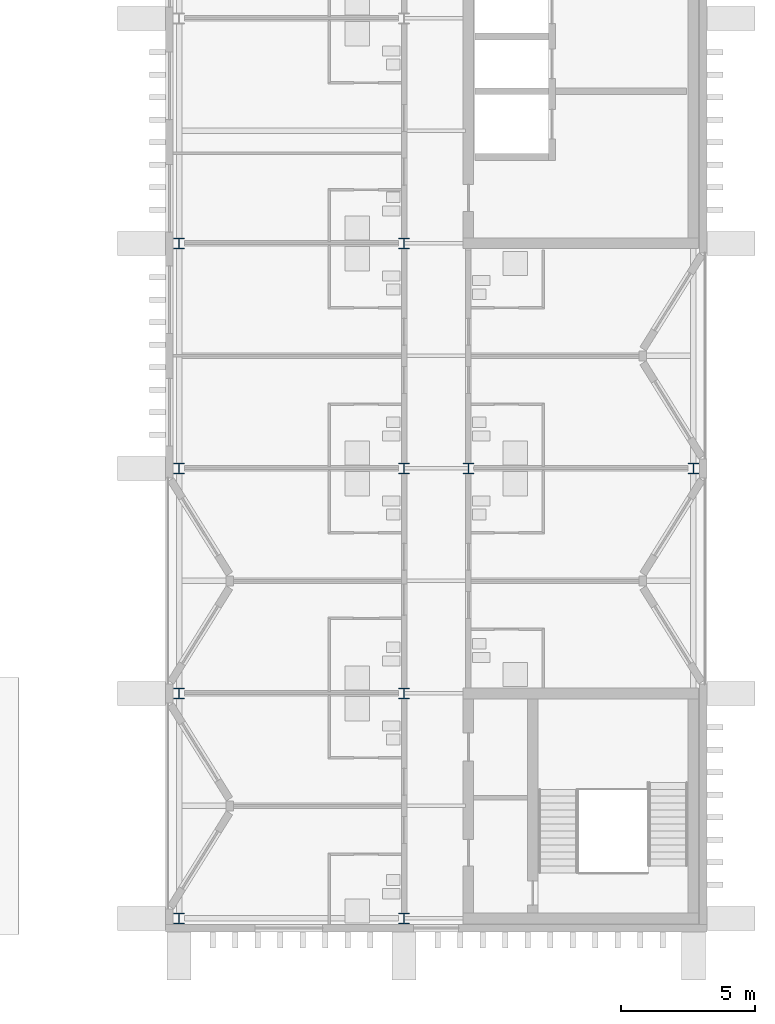
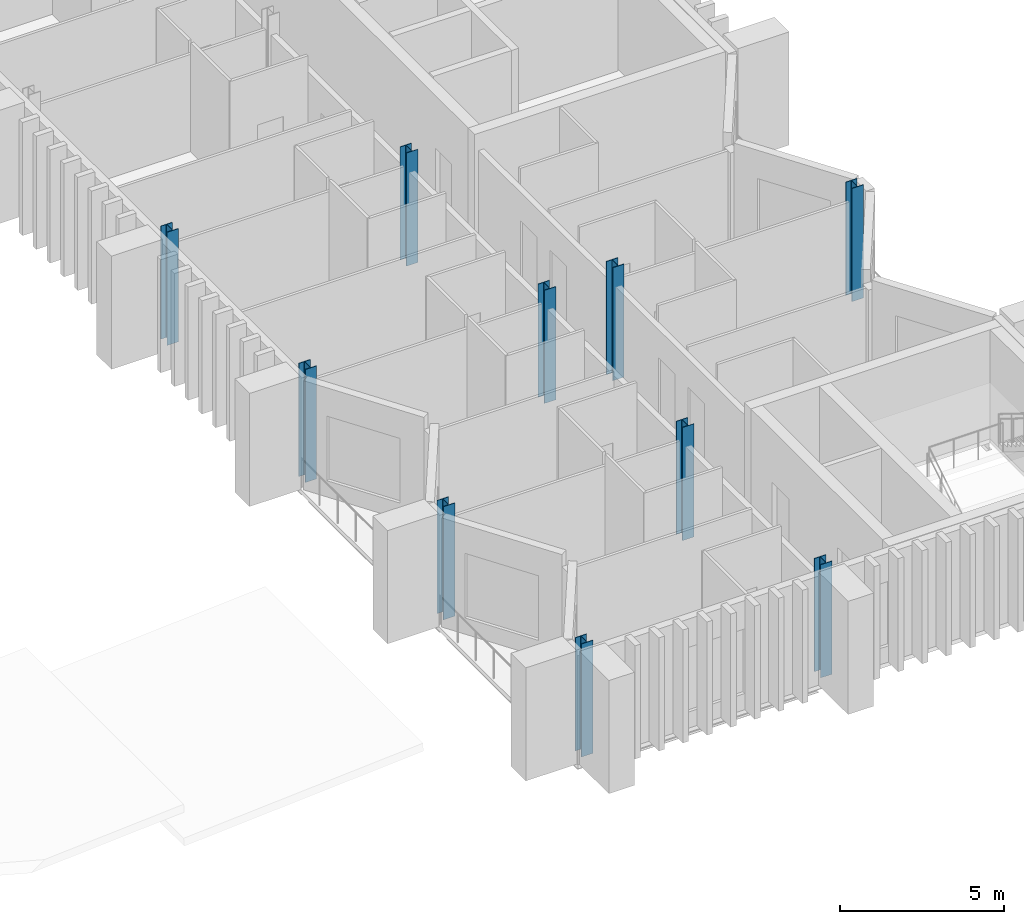
# One storey, part 2 of 21: 10 columns.
"""IFC4 building model written with IfcOpenShell, lengths in metres."""

import ifcopenshell
import ifcopenshell.guid

model = None  # the IFC model being written
_history = None  # IfcOwnerHistory: only IFC2X3 demands one
_inside = {}  # id of a spatial element -> (the spatial element, [elements in it])
_under = {}  # id of a project, library or spatial element -> (it, [spatial elements below it])
_declared = {}  # id of a project -> (the project, [libraries it declares])
_typed = {}  # id of a type object -> (the type object, [elements of that type])
_made_of = {}  # id of a material, layer set ... -> (it, [elements and type objects made of it])


def new_model(schema):
    """Start an empty IFC model of exactly this schema.

    Asked for "IFC4X3", IfcOpenShell would pick the latest addendum, in which some entities
    have other attributes; the version numbers below select the first issue.
    IFC2X3 requires an IfcOwnerHistory on every rooted entity: one is made here for all.
    """
    global model, _history
    if schema == "IFC4X3":
        model = ifcopenshell.file(schema_version=(4, 3, 0, 0))
    else:
        model = ifcopenshell.file(schema=schema)
    _inside.clear()
    _under.clear()
    _declared.clear()
    _typed.clear()
    _made_of.clear()
    _history = None
    if model.schema == "IFC2X3":
        org = make("IfcOrganization", Name="unknown")
        user = make(
            "IfcPersonAndOrganization",
            ThePerson=make("IfcPerson", FamilyName="unknown"),
            TheOrganization=org,
        )
        app = make(
            "IfcApplication",
            ApplicationDeveloper=org,
            Version="unknown",
            ApplicationFullName="unknown",
            ApplicationIdentifier="unknown",
        )
        _history = make(
            "IfcOwnerHistory",
            OwningUser=user,
            OwningApplication=app,
            ChangeAction="ADDED",
            CreationDate=0,
        )
    return model


def make(cls, **values):
    """One entity of the class cls with the attributes given. An attribute that is None is left unset."""
    return model.create_entity(
        cls, **{name: value for name, value in values.items() if value is not None}
    )


def rooted(cls, **values):
    """An entity with a GlobalId (a new one), such as an element, a storey or a relation."""
    return make(cls, GlobalId=ifcopenshell.guid.new(), OwnerHistory=_history, **values)


def si_unit(unit_type, name, prefix=None):
    """IfcSIUnit, for example si_unit("LENGTHUNIT", "METRE", prefix="MILLI")."""
    return make("IfcSIUnit", UnitType=unit_type, Prefix=prefix, Name=name)


def assignment(units):
    """IfcUnitAssignment: the units of a project."""
    return None if units is None else make("IfcUnitAssignment", Units=units)


def point(xyz):
    """IfcCartesianPoint."""
    return None if xyz is None else make("IfcCartesianPoint", Coordinates=xyz)


def direction(xyz):
    """IfcDirection."""
    return None if xyz is None else make("IfcDirection", DirectionRatios=xyz)


def frame(location, z_axis=None, x_axis=None):
    """IfcAxis2Placement3D, a coordinate frame: its origin and axes. An axis left out is left unset."""
    return make(
        "IfcAxis2Placement3D",
        Location=point(location),
        Axis=direction(z_axis),
        RefDirection=direction(x_axis),
    )


def frame_2d(location, x_axis=None):
    """IfcAxis2Placement2D, a coordinate frame in the plane: its origin and x axis."""
    return make(
        "IfcAxis2Placement2D", Location=point(location), RefDirection=direction(x_axis)
    )


def origin():
    """The frame at (0, 0, 0) with its axes left unset."""
    return frame((0.0, 0.0, 0.0))


def origin_2d():
    """The frame at (0, 0) in the plane with its x axis left unset."""
    return frame_2d((0.0, 0.0))


def place(relative_to, where):
    """IfcLocalPlacement: puts the frame where relative to a parent placement (None: the world)."""
    return make(
        "IfcLocalPlacement", PlacementRelTo=relative_to, RelativePlacement=where
    )


def context(
    kind, dimensions, precision=None, world=None, true_north=None, identifier=None
):
    """IfcGeometricRepresentationContext, for example the 3D "Model" context."""
    return make(
        "IfcGeometricRepresentationContext",
        ContextIdentifier=identifier,
        ContextType=kind,
        CoordinateSpaceDimension=dimensions,
        Precision=precision,
        WorldCoordinateSystem=world,
        TrueNorth=true_north,
    )


def subcontext(parent, identifier, kind, view, scale=None):
    """IfcGeometricRepresentationSubContext, for example "Body" below "Model"."""
    return make(
        "IfcGeometricRepresentationSubContext",
        ContextIdentifier=identifier,
        ContextType=kind,
        ParentContext=parent,
        TargetScale=scale,
        TargetView=view,
    )


def project(units=None, contexts=None):
    """IfcProject with its units and contexts."""
    return rooted(
        "IfcProject",
        Name="project",
        RepresentationContexts=contexts,
        UnitsInContext=assignment(units),
    )


def spatial(cls, under=None, at=None, **own):
    """A site, building, storey or space (cls), placed at a placement, below another one or the project."""
    s = rooted(cls, ObjectPlacement=at, **own)
    if under is not None:
        _under.setdefault(under.id(), (under, []))[1].append(s)
    return s


def profile(cls, at=None, kind="AREA", **sizes):
    """A parametric profile (cls). Its sizes go by their IFC names, for example OverallWidth=200.0."""
    return make(cls, ProfileType=kind, Position=at, **sizes)


def i_section(**sizes):
    """IfcIShapeProfileDef."""
    return profile("IfcIShapeProfileDef", **sizes)


def extrude(swept, where, along, depth):
    """IfcExtrudedAreaSolid: the profile swept, set in the frame where, extruded along a direction by depth."""
    return make(
        "IfcExtrudedAreaSolid",
        SweptArea=swept,
        Position=where,
        ExtrudedDirection=direction(along),
        Depth=depth,
    )


def shape(context_of_items, identifier, shape_type, items):
    """IfcShapeRepresentation: the items that make up one representation, for example the "Body"."""
    return make(
        "IfcShapeRepresentation",
        ContextOfItems=context_of_items,
        RepresentationIdentifier=identifier,
        RepresentationType=shape_type,
        Items=items,
    )


def material(Name=None, Category=None):
    """IfcMaterial."""
    return make("IfcMaterial", Name=Name, Category=Category)


def material_profile(
    of_material, cross_section, Name=None, Category=None, Priority=None
):
    """IfcMaterialProfile: a cross section and its material."""
    return make(
        "IfcMaterialProfile",
        Name=Name,
        Material=of_material,
        Profile=cross_section,
        Priority=Priority,
        Category=Category,
    )


def profile_set(profiles, Name=None, composite=None):
    """IfcMaterialProfileSet."""
    return make(
        "IfcMaterialProfileSet",
        Name=Name,
        MaterialProfiles=profiles,
        CompositeProfile=composite,
    )


def made_of(thing, what):
    """Note that an element or type object is made of a material, layer set ...; save() writes the relation."""
    if what is not None:
        _made_of.setdefault(what.id(), (what, []))[1].append(thing)
    return thing


def type_object(cls, material=None, **own):
    """A type object (cls), such as IfcWallType, which elements share."""
    return made_of(rooted(cls, **own), material)


def element(
    cls,
    number,
    at=None,
    inside=None,
    cuts=None,
    type_object=None,
    material=None,
    context=None,
    identifier="Body",
    shape_type=None,
    held_by="IfcProductDefinitionShape",
    body=None,
    shapes=None,
    **own,
):
    """One element of the class cls, such as IfcWall. Its Tag is "e" and its number.

    at: its placement. inside: the storey or other place that contains it. cuts: it is an
    opening in that element (IfcRelVoidsElement). A single representation is given by context,
    identifier, shape_type and body (its items); several are given by shapes. held_by: the class
    of the entity that holds the representations. save() writes the other relations.
    """
    e = rooted(cls, Tag="e%d" % number, ObjectPlacement=at, **own)
    if body is not None:
        shapes = [shape(context, identifier, shape_type, body)]
    if shapes is not None:
        e.Representation = make(held_by, Representations=shapes)
    if inside is not None:
        _inside.setdefault(inside.id(), (inside, []))[1].append(e)
    if cuts is not None:
        rooted(
            "IfcRelVoidsElement", RelatingBuildingElement=cuts, RelatedOpeningElement=e
        )
    if type_object is not None:
        _typed.setdefault(type_object.id(), (type_object, []))[1].append(e)
    return made_of(e, material)


def aggregate(whole, parts):
    """IfcRelAggregates: a whole, such as a stair, and the parts it consists of."""
    return rooted("IfcRelAggregates", RelatingObject=whole, RelatedObjects=parts)


def save(model, path):
    """Write the relations noted so far, then the file.

    IfcRelAggregates (storeys below a building ...), IfcRelContainedInSpatialStructure (elements
    in a storey), IfcRelDefinesByType, IfcRelAssociatesMaterial and IfcRelDeclares: one each for
    every whole, place, type object, material and project.
    """
    for whole, parts in _under.values():
        aggregate(whole, parts)
    for where, things in _inside.values():
        rooted(
            "IfcRelContainedInSpatialStructure",
            RelatedElements=things,
            RelatingStructure=where,
        )
    for kind, things in _typed.values():
        rooted("IfcRelDefinesByType", RelatedObjects=things, RelatingType=kind)
    for what, things in _made_of.values():
        rooted("IfcRelAssociatesMaterial", RelatedObjects=things, RelatingMaterial=what)
    for by, libraries in _declared.values():
        rooted("IfcRelDeclares", RelatingContext=by, RelatedDefinitions=libraries)
    model.write(path)


model = new_model("IFC4")

# Units and contexts
model_context = context("Model", 3, precision=1e-05, world=origin(), true_north=direction((0.0, 1.0)))
body_context = subcontext(model_context, "Body", "Model", "MODEL_VIEW")
ifc_project = project(units=[si_unit("LENGTHUNIT", "METRE"), si_unit("AREAUNIT", "SQUARE_METRE"), si_unit("VOLUMEUNIT", "CUBIC_METRE"), si_unit("PLANEANGLEUNIT", "RADIAN"), si_unit("MASSUNIT", "GRAM", prefix="KILO")], contexts=[model_context])

# Site, building, storey
site_placement = place(None, origin())
site = spatial("IfcSite", under=ifc_project, at=site_placement, CompositionType="ELEMENT")
building_placement = place(site_placement, origin())
building = spatial("IfcBuilding", under=site, at=building_placement, Name="Cresset Court Congress Hotel", CompositionType="ELEMENT")
storey_placement = place(building_placement, frame((0.0, 0.0, 22.800048828125)))
storey = spatial("IfcBuildingStorey", under=building, at=storey_placement, Name="L05", CompositionType="ELEMENT", Elevation=22.800048828125)

# Columns
ifc_material = material(Name="Structural steel Q355B", Category="steel")
ifc_material_profile = material_profile(ifc_material, i_section(OverallWidth=0.39990234375, OverallDepth=0.39990234375, WebThickness=0.012939453125, FlangeThickness=0.02099609375, FilletRadius=0.02197265625, at=origin_2d()), Name="HW400x400x13x21")
ifc_profile_set = profile_set([ifc_material_profile], Name="Structural steel Q355B")
column_type = type_object("IfcColumnType", Name="Steel column HW400x400x13x21", PredefinedType="COLUMN", material=ifc_profile_set)
for number, where, z_axis, x_axis, name in (
    (1, (157.199951171875, 0.0, 0.0), (0.0, 0.0, 1.0), (1.0, 0.0, 0.0), "Column L05 1-20"),
    (2, (157.199951171875, 8.39990234375, 0.0), (0.0, 0.0, 1.0), (1.0, 0.0, 0.0), "Column L05 2-20"),
    (3, (157.199951171875, 16.800048828125, 0.0), (0.0, 0.0, 1.0), (1.0, 0.0, 0.0), "Column L05 3-20"),
    (4, (157.199951171875, 25.199951171875, 0.0), (0.0, 0.0, 1.0), (1.0, 0.0, 0.0), "Column L05 4-20"),
    (5, (165.60009765625, 0.0, 0.0), (0.0, 0.0, 1.0), (1.0, 0.0, 0.0), "Column L05 1-21"),
    (6, (165.60009765625, 8.39990234375, 0.0), (0.0, 0.0, 1.0), (1.0, 0.0, 0.0), "Column L05 2-21"),
    (7, (165.60009765625, 16.800048828125, 0.0), (0.0, 0.0, 1.0), (1.0, 0.0, 0.0), "Column L05 3-21"),
    (8, (165.60009765625, 25.199951171875, 0.0), (0.0, 0.0, 1.0), (1.0, 0.0, 0.0), "Column L05 4-21"),
    (9, (168.0, 16.800048828125, 0.0), (0.0, 0.0, 1.0), (1.0, 0.0, 0.0), "Column L05 3-22"),
    (10, (176.39990234375, 16.800048828125, 0.0), (0.0, 0.0, 1.0), (1.0, 0.0, 0.0), "Column L05 3-23"),
):
    element("IfcColumn", number, at=place(storey_placement, frame(where, z_axis=z_axis, x_axis=x_axis)), inside=storey, type_object=column_type, Name=name, PredefinedType="COLUMN", context=body_context, shape_type="SweptSolid", body=[
        extrude(i_section(OverallWidth=0.39990234375, OverallDepth=0.39990234375, WebThickness=0.012939453125, FlangeThickness=0.02099609375, FilletRadius=0.02197265625, at=origin_2d()), origin(), (0.0, 0.0, 1.0), 4.199951171875),
    ])

save(model, "model.ifc")
